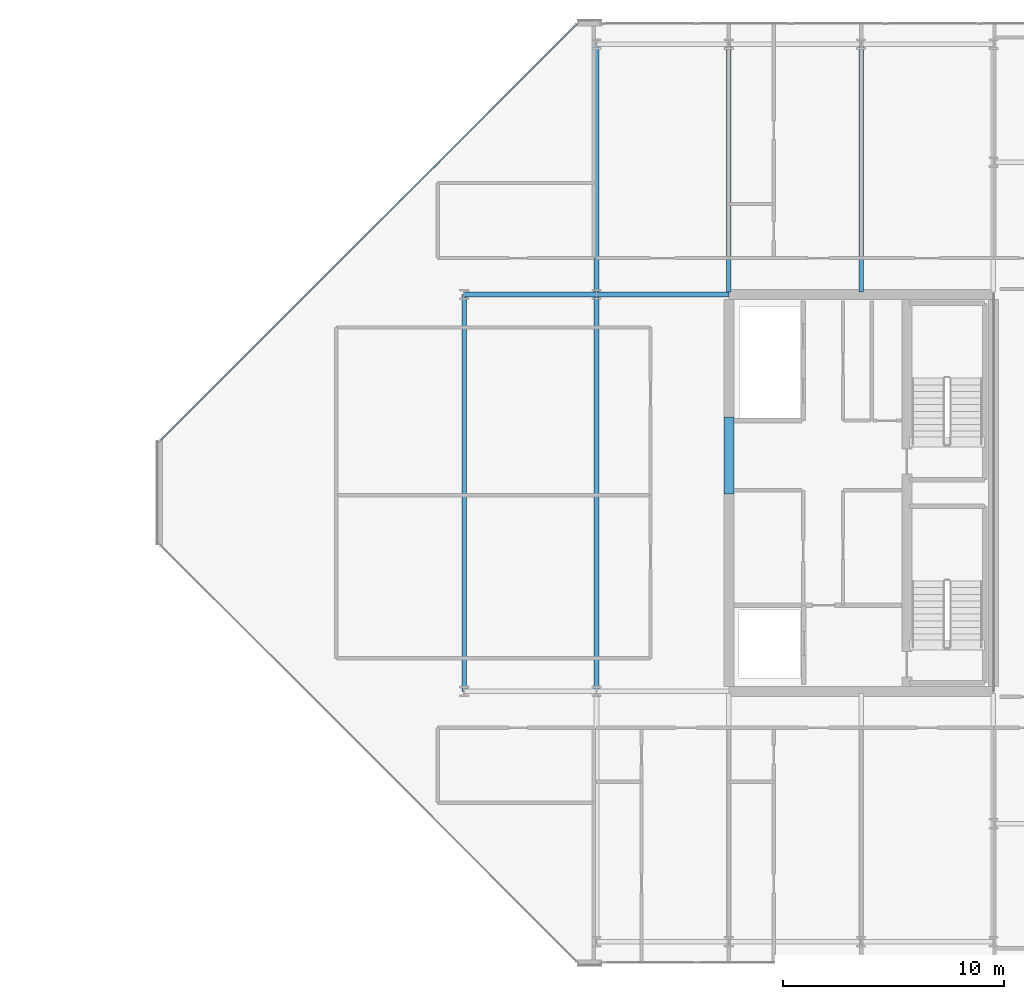
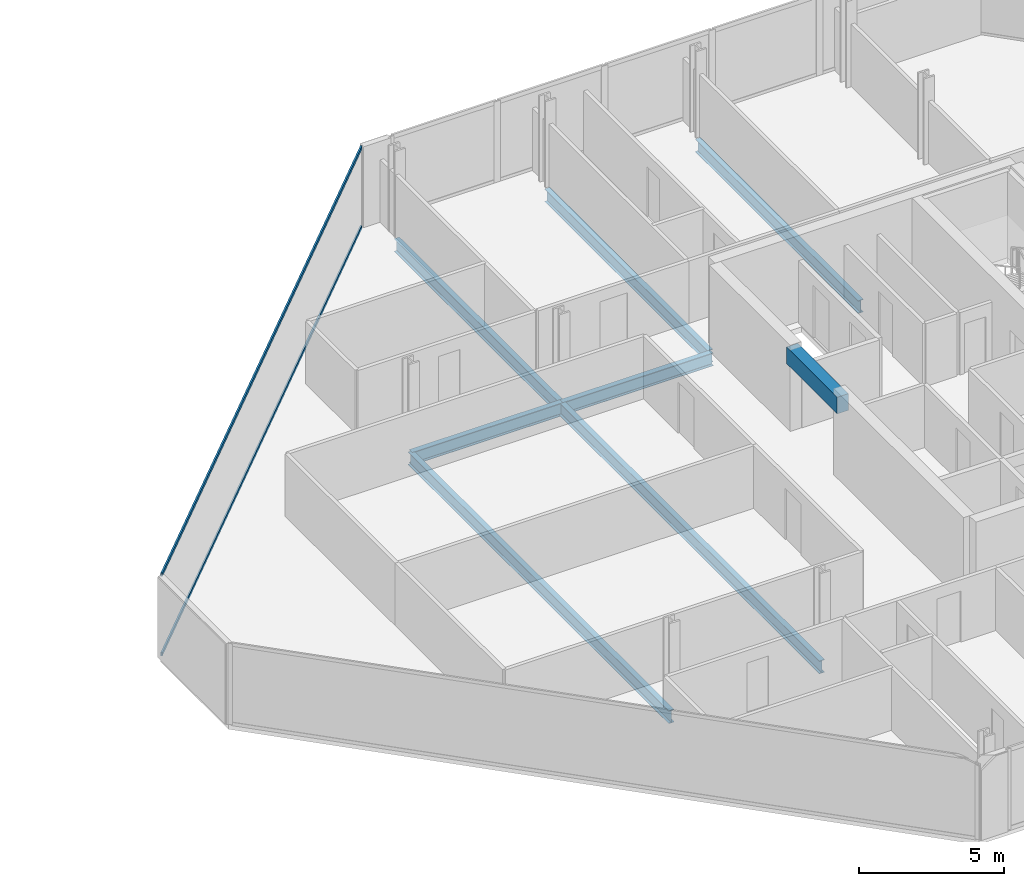
# One storey, part 6 of 19: 8 beams, 2 members, 1 element without a shape of its own.
"""IFC4 building model written with IfcOpenShell, lengths in metres."""

from ifc_helpers import new_model, si_unit, direction, frame, origin, origin_2d, place, context, subcontext, project, spatial, rectangle, hollow_rectangle, i_section, extrude, material, layer, layer_set, material_profile, profile_set, type_object, element, aggregate, save


model = new_model("IFC4")

# Units and contexts
model_context = context("Model", 3, precision=1e-05, world=origin(), true_north=direction((0.0, 1.0)))
body_context = subcontext(model_context, "Body", "Model", "MODEL_VIEW")
ifc_project = project(units=[si_unit("LENGTHUNIT", "METRE"), si_unit("AREAUNIT", "SQUARE_METRE"), si_unit("VOLUMEUNIT", "CUBIC_METRE"), si_unit("PLANEANGLEUNIT", "RADIAN"), si_unit("MASSUNIT", "GRAM", prefix="KILO")], contexts=[model_context])

# Site, building, storey
site_placement = place(None, origin())
site = spatial("IfcSite", under=ifc_project, at=site_placement, CompositionType="ELEMENT")
building_placement = place(site_placement, origin())
building = spatial("IfcBuilding", under=site, at=building_placement, Name="Tanjung Sevakor Pilgrim Tower", CompositionType="ELEMENT")
storey_placement = place(building_placement, frame((0.0, 0.0, 260.699951171875)))
storey = spatial("IfcBuildingStorey", under=building, at=storey_placement, Name="L73", CompositionType="ELEMENT", Elevation=260.699951171875)

# Beams
ifc_material_1 = material(Name="Steel S355J2", Category="steel")
ifc_material_profile_1 = material_profile(ifc_material_1, i_section(OverallWidth=0.2119140625, OverallDepth=0.54443359375, WebThickness=0.0126953125, FlangeThickness=0.021240234375, FilletRadius=0.0126953125, at=origin_2d()))
ifc_profile_set_1 = profile_set([ifc_material_profile_1], Name="Steel S355J2")
beam_type_1 = type_object("IfcBeamType", Name="BM-B-G5-UB_533x210x122", PredefinedType="BEAM", material=ifc_profile_set_1)
for number, where, z_axis, x_axis, name in (
    (1, (66.0, 42.60009765625, -0.4921875), (1.0, 0.0, 0.0), (0.0, 1.0, 0.0), "L73 Primary Floor Girder EAST Y426-01"),
    (2, (72.0, 42.60009765625, -0.4921875), (1.0, 0.0, 0.0), (0.0, 1.0, 0.0), "L73 Primary Floor Girder EAST Y426-02"),
):
    element("IfcBeam", number, at=place(storey_placement, frame(where, z_axis=z_axis, x_axis=x_axis)), inside=storey, type_object=beam_type_1, Name=name, PredefinedType="BEAM", context=body_context, shape_type="SweptSolid", body=[
        extrude(i_section(OverallWidth=0.2119140625, OverallDepth=0.54443359375, WebThickness=0.0126953125, FlangeThickness=0.021240234375, FilletRadius=0.0126953125, at=origin_2d()), origin(), (0.0, 0.0, 1.0), 6.0),
    ])
ifc_material_2 = material(Name="Steel S355J2", Category="steel")
ifc_material_profile_2 = material_profile(ifc_material_2, i_section(OverallWidth=0.210693359375, OverallDepth=0.53955078125, WebThickness=0.01171875, FlangeThickness=0.018798828125, FilletRadius=0.0126953125, at=origin_2d()))
ifc_profile_set_2 = profile_set([ifc_material_profile_2], Name="Steel S355J2")
beam_type_2 = type_object("IfcBeamType", Name="BM-B-G6-UB_533x210x109", PredefinedType="BEAM", material=ifc_profile_set_2)
for number, where, z_axis, x_axis, name in (
    (3, (66.0, 24.60009765625, -0.48974609375), (0.0, 1.0, 0.0), (-1.0, 0.0, 0.0), "L73 EAST Girder 001"),
    (4, (72.0, 24.60009765625, -0.48974609375), (0.0, 1.0, 0.0), (-1.0, 0.0, 0.0), "L73 EAST Girder 003"),
):
    element("IfcBeam", number, at=place(storey_placement, frame(where, z_axis=z_axis, x_axis=x_axis)), inside=storey, type_object=beam_type_2, Name=name, PredefinedType="BEAM", context=body_context, shape_type="SweptSolid", body=[
        extrude(i_section(OverallWidth=0.210693359375, OverallDepth=0.53955078125, WebThickness=0.01171875, FlangeThickness=0.018798828125, FilletRadius=0.0126953125, at=origin_2d()), origin(), (0.0, 0.0, 1.0), 18.0),
    ])
beam_1_placement = place(storey_placement, frame((72.0, 42.60009765625, -0.48974609375), z_axis=(0.0, 1.0, 0.0), x_axis=(-1.0, 0.0, 0.0)))
element("IfcBeam", 5, at=beam_1_placement, inside=storey, type_object=beam_type_2, Name="L73 EAST Girder 004", PredefinedType="BEAM", context=body_context, shape_type="SweptSolid", body=[
    extrude(i_section(OverallWidth=0.210693359375, OverallDepth=0.53955078125, WebThickness=0.01171875, FlangeThickness=0.018798828125, FilletRadius=0.0126953125, at=origin_2d()), origin(), (0.0, 0.0, 1.0), 11.349853515625),
])
for number, where, z_axis, x_axis, name in (
    (6, (78.0, 42.7060546875, -0.48974609375), (0.0, 1.0, 0.0), (-1.0, 0.0, 0.0), "L73 EAST Girder 006"),
    (7, (84.0, 42.7060546875, -0.48974609375), (0.0, 1.0, 0.0), (-1.0, 0.0, 0.0), "L73 EAST Girder 008"),
):
    element("IfcBeam", number, at=place(storey_placement, frame(where, z_axis=z_axis, x_axis=x_axis)), inside=storey, type_object=beam_type_2, Name=name, PredefinedType="BEAM", context=body_context, shape_type="SweptSolid", body=[
        extrude(i_section(OverallWidth=0.210693359375, OverallDepth=0.53955078125, WebThickness=0.01171875, FlangeThickness=0.018798828125, FilletRadius=0.0126953125, at=origin_2d()), origin(), (0.0, 0.0, 1.0), 11.243896484375),
    ])
ifc_material_3 = material(Name="Concrete C60/75", Category="concrete")
ifc_material_profile_3 = material_profile(ifc_material_3, rectangle(XDim=0.449951171875, YDim=0.699951171875, at=origin_2d()))
ifc_profile_set_3 = profile_set([ifc_material_profile_3], Name="Concrete C60/75")
beam_type_3 = type_object("IfcBeamType", Name="BM-B-LN3-RC-BM_450x700", PredefinedType="LINTEL", material=ifc_profile_set_3)
beam_2_placement = place(storey_placement, frame((78.0, 33.550048828125, 3.06005859375), z_axis=(0.0, 1.0, 0.0), x_axis=(-1.0, 0.0, 0.0)))
element("IfcBeam", 8, at=beam_2_placement, inside=storey, type_object=beam_type_3, Name="L73 E Core Coupling Lintel", PredefinedType="LINTEL", context=body_context, shape_type="SweptSolid", body=[
    extrude(rectangle(XDim=0.449951171875, YDim=0.699951171875, at=origin_2d()), origin(), (0.0, 0.0, 1.0), 3.5),
])

# Curtain wall, members
ifc_material_4 = material(Name="Aluminium 6063-T6 and Low-E Glass", Category="aluminium")
ifc_layer = layer(ifc_material_4, 0.179931640625)
ifc_layer_set = layer_set([ifc_layer], Name="CW-SYS-CHAM")
curtain_wall_type = type_object("IfcCurtainWallType", Name="CW-SYS-CHAM", PredefinedType="NOTDEFINED", material=ifc_layer_set)
curtain_wall_placement = place(storey_placement, origin())
curtain_wall = element("IfcCurtainWall", 9, at=curtain_wall_placement, inside=storey, type_object=curtain_wall_type, Name="L73 Curtain Wall CW-CHM-L73-EAST-5", PredefinedType="NOTDEFINED")
ifc_material_5 = material(Name="Aluminium 6063-T6", Category="aluminium")
ifc_material_profile_4 = material_profile(ifc_material_5, hollow_rectangle(XDim=0.06494140625, YDim=0.139892578125, WallThickness=0.00390625, at=origin_2d()))
ifc_profile_set_4 = profile_set([ifc_material_profile_4], Name="Aluminium 6063-T6")
member_type = type_object("IfcMemberType", Name="TYPE-CWT-1", PredefinedType="USERDEFINED", material=ifc_profile_set_4)
member_1_placement = place(storey_placement, frame((71.099609375, 54.843994140625, 0.032470703125), z_axis=(-0.707106781187, -0.707106781187, 0.0), x_axis=(0.707106781187, -0.707106781187, 0.0)))
member_1 = element("IfcMember", 10, at=member_1_placement, type_object=member_type, Name="CW-CHM transom 1.1", ObjectType="TRANSOM", PredefinedType="USERDEFINED", context=body_context, shape_type="SweptSolid", body=[
    extrude(hollow_rectangle(XDim=0.06494140625, YDim=0.139892578125, WallThickness=0.00390625, at=origin_2d()), origin(), (0.0, 0.0, 1.0), 26.649169921875),
])
member_2_placement = place(storey_placement, frame((71.099609375, 54.843994140625, 3.37744140625), z_axis=(-0.707106781187, -0.707106781187, 0.0), x_axis=(0.707106781187, -0.707106781187, 0.0)))
member_2 = element("IfcMember", 11, at=member_2_placement, type_object=member_type, Name="CW-CHM transom 1.2", ObjectType="TRANSOM", PredefinedType="USERDEFINED", context=body_context, shape_type="SweptSolid", body=[
    extrude(hollow_rectangle(XDim=0.06494140625, YDim=0.139892578125, WallThickness=0.00390625, at=origin_2d()), origin(), (0.0, 0.0, 1.0), 26.649169921875),
])
aggregate(curtain_wall, [member_1, member_2])

save(model, "model.ifc")
